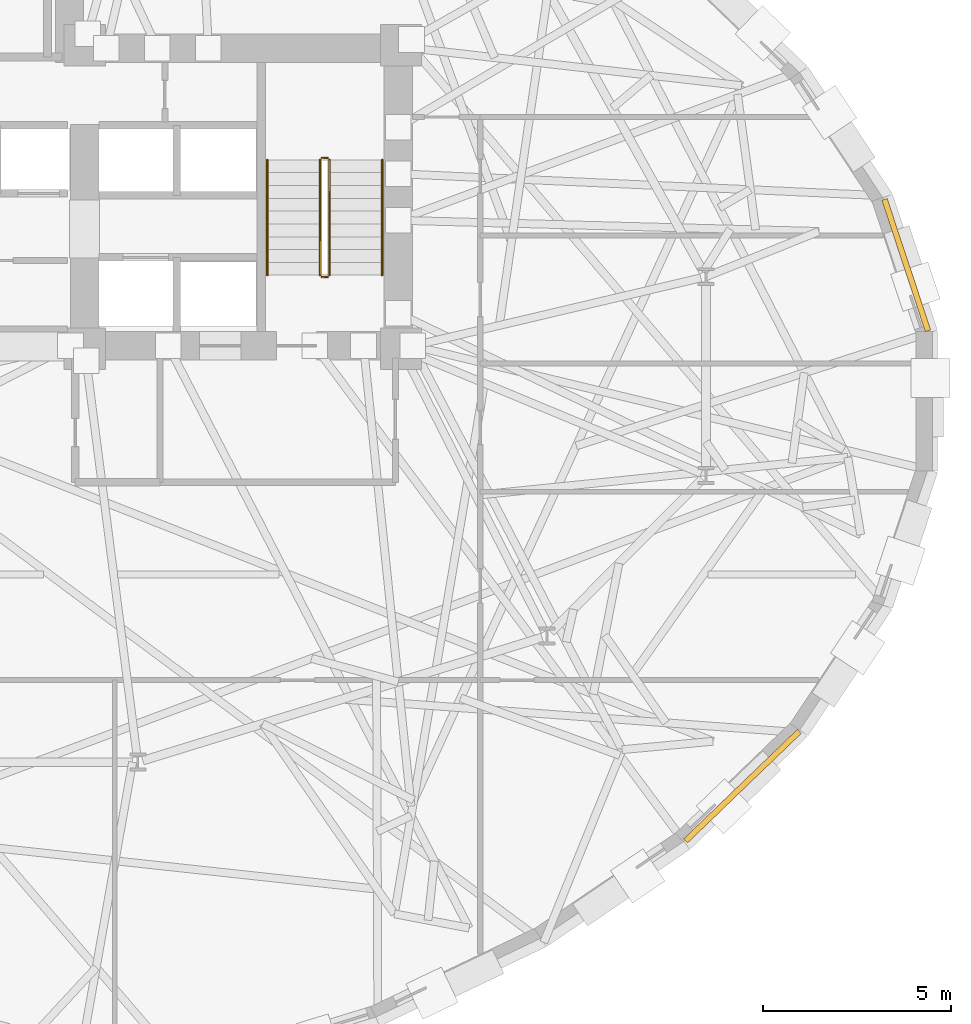
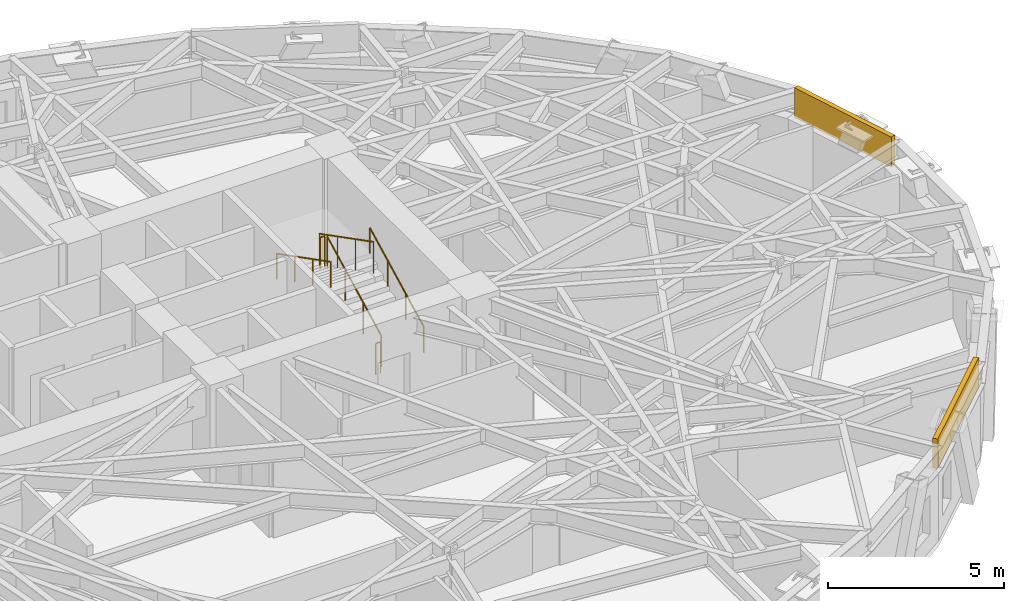
# One storey, part 13 of 14: 6 railings, 2 coverings.
"""IFC4 building model written with IfcOpenShell, lengths in metres."""

from ifc_helpers import new_model, si_unit, direction, frame, origin, origin_2d, place, context, subcontext, project, spatial, rectangle, circle, extrude, material, layer, layer_set, type_object, element, save


model = new_model("IFC4")

# Units and contexts
model_context = context("Model", 3, precision=1e-05, world=origin(), true_north=direction((0.0, 1.0)))
body_context = subcontext(model_context, "Body", "Model", "MODEL_VIEW")
ifc_project = project(units=[si_unit("LENGTHUNIT", "METRE"), si_unit("AREAUNIT", "SQUARE_METRE"), si_unit("VOLUMEUNIT", "CUBIC_METRE"), si_unit("PLANEANGLEUNIT", "RADIAN"), si_unit("MASSUNIT", "GRAM", prefix="KILO")], contexts=[model_context])

# Site, building, storey
site_placement = place(None, origin())
site = spatial("IfcSite", under=ifc_project, at=site_placement, CompositionType="ELEMENT")
building_placement = place(site_placement, origin())
building = spatial("IfcBuilding", under=site, at=building_placement, Name="Keldmark Tower", CompositionType="ELEMENT")
storey_placement = place(building_placement, frame((0.0, 0.0, 107.10009765625)))
storey = spatial("IfcBuildingStorey", under=building, at=storey_placement, Name="L28", CompositionType="ELEMENT", Elevation=107.10009765625)

# Coverings
ifc_material_1 = material(Name="Honed Kasota Buff Dolomitic Limestone", Category="masonry")
ifc_layer = layer(ifc_material_1, 0.074951171875)
ifc_layer_set = layer_set([ifc_layer], Name="Honed Kasota Buff Dolomitic Limestone")
covering_type = type_object("IfcCoveringType", Name="Kasota Buff Limestone Spandrel Cladding Band", PredefinedType="CLADDING", material=ifc_layer_set)
covering_1_placement = place(storey_placement, frame((27.0146484375, 3.617919921875, 2.45166015625), z_axis=(0.0, 0.0, 1.0), x_axis=(-0.314290711278, 0.949326787152, 0.0)))
element("IfcCovering", 1, at=covering_1_placement, inside=storey, type_object=covering_type, Name="L28 Kasota Limestone Spandrel Band 01", PredefinedType="CLADDING", context=body_context, shape_type="SweptSolid", body=[
    extrude(rectangle(XDim=3.67578125, YDim=0.14990234375, at=origin_2d()), origin(), (0.0, 0.0, 1.0), 1.028076171875),
])
covering_2_placement = place(storey_placement, frame((22.6650390625, -10.21630859375, 2.45166015625), z_axis=(0.0, 0.0, 1.0), x_axis=(0.720587417127, 0.693364099357, 0.0)))
element("IfcCovering", 2, at=covering_2_placement, inside=storey, type_object=covering_type, Name="L28 Kasota Limestone Spandrel Band 29", PredefinedType="CLADDING", context=body_context, shape_type="SweptSolid", body=[
    extrude(rectangle(XDim=4.186767578125, YDim=0.14990234375, at=origin_2d()), origin(), (0.0, 0.0, 1.0), 1.028076171875),
])

# Railings
ifc_material_2 = material(Name="Painted Steel ASTM A500 Grade B", Category="steel")
railing_type_1 = type_object("IfcRailingType", Name="Painted Steel Stair Well Guard 1100 mm", PredefinedType="GUARDRAIL", material=ifc_material_2)
railing_1_placement = place(storey_placement, frame((11.699951171875, 3.35009765625, 0.1748046875)))
element("IfcRailing", 3, at=railing_1_placement, inside=storey, type_object=railing_type_1, Name="L28 ST2 stair guard 1", PredefinedType="GUARDRAIL", context=body_context, shape_type="SweptSolid", body=[
    extrude(circle(Radius=0.02392578125, at=origin_2d()), frame((0.0, 0.0, 1.076171875), z_axis=(0.0, 0.889101422983, 0.457710235465), x_axis=(-1.0, 0.0, 0.0)), (0.0, 0.0, 1.0), 3.44140625),
    extrude(circle(Radius=0.02099609375, at=origin_2d()), origin(), (0.0, 0.0, 1.0), 1.052001953125),
    extrude(circle(Radius=0.02099609375, at=origin_2d()), frame((0.0, 1.02001953125, 0.525146484375)), (0.0, 0.0, 1.0), 1.052001953125),
    extrude(circle(Radius=0.02099609375, at=origin_2d()), frame((0.0, 2.039794921875, 1.050048828125)), (0.0, 0.0, 1.0), 1.052001953125),
    extrude(circle(Radius=0.02099609375, at=origin_2d()), frame((0.0, 3.059814453125, 1.5751953125)), (0.0, 0.0, 1.0), 1.052001953125),
])
railing_2_placement = place(storey_placement, frame((11.64990234375, 6.4599609375, 1.75)))
element("IfcRailing", 4, at=railing_2_placement, inside=storey, type_object=railing_type_1, Name="L28 ST2 stair guard 2", PredefinedType="GUARDRAIL", context=body_context, shape_type="SweptSolid", body=[
    extrude(circle(Radius=0.02392578125, at=origin_2d()), frame((0.0, 0.0, 1.076171875), z_axis=(-1.0, 0.0, 0.0), x_axis=(0.0, -1.0, 0.0)), (0.0, 0.0, 1.0), 0.14990234375),
    extrude(circle(Radius=0.02099609375, at=origin_2d()), origin(), (0.0, 0.0, 1.0), 1.052001953125),
    extrude(circle(Radius=0.02099609375, at=origin_2d()), frame((-0.14990234375, 0.0, 0.0)), (0.0, 0.0, 1.0), 1.052001953125),
])
railing_3_placement = place(storey_placement, frame((11.449951171875, 6.409912109375, 1.9248046875)))
element("IfcRailing", 5, at=railing_3_placement, inside=storey, type_object=railing_type_1, Name="L28 ST2 stair guard 3", PredefinedType="GUARDRAIL", context=body_context, shape_type="SweptSolid", body=[
    extrude(circle(Radius=0.02392578125, at=origin_2d()), frame((0.0, 0.0, 1.076171875), z_axis=(0.0, -0.889101422983, 0.457710235465), x_axis=(1.0, 0.0, 0.0)), (0.0, 0.0, 1.0), 3.44140625),
    extrude(circle(Radius=0.02099609375, at=origin_2d()), origin(), (0.0, 0.0, 1.0), 1.052001953125),
    extrude(circle(Radius=0.02099609375, at=origin_2d()), frame((0.0, -1.02001953125, 0.525146484375)), (0.0, 0.0, 1.0), 1.052001953125),
    extrude(circle(Radius=0.02099609375, at=origin_2d()), frame((0.0, -2.039794921875, 1.050048828125)), (0.0, 0.0, 1.0), 1.052001953125),
    extrude(circle(Radius=0.02099609375, at=origin_2d()), frame((0.0, -3.059814453125, 1.5751953125)), (0.0, 0.0, 1.0), 1.052001953125),
])
railing_4_placement = place(storey_placement, frame((11.64990234375, 3.300048828125, 0.0)))
element("IfcRailing", 6, at=railing_4_placement, inside=storey, type_object=railing_type_1, Name="L28 ST2 stair guard 4", PredefinedType="GUARDRAIL", context=body_context, shape_type="SweptSolid", body=[
    extrude(circle(Radius=0.02392578125, at=origin_2d()), frame((0.0, 0.0, 1.076171875), z_axis=(-1.0, 0.0, 0.0), x_axis=(0.0, -1.0, 0.0)), (0.0, 0.0, 1.0), 0.14990234375),
    extrude(circle(Radius=0.02099609375, at=origin_2d()), origin(), (0.0, 0.0, 1.0), 1.052001953125),
    extrude(circle(Radius=0.02099609375, at=origin_2d()), frame((-0.14990234375, 0.0, 0.0)), (0.0, 0.0, 1.0), 1.052001953125),
])
ifc_material_3 = material(Name="Stainless Steel AISI 316L", Category="steel")
railing_type_2 = type_object("IfcRailingType", Name="Stainless Steel Stair Handrail 900 mm", PredefinedType="HANDRAIL", material=ifc_material_3)
railing_5_placement = place(storey_placement, frame((13.10009765625, 3.35009765625, 0.1748046875)))
element("IfcRailing", 7, at=railing_5_placement, inside=storey, type_object=railing_type_2, Name="L28 ST2 stair handrail 1", PredefinedType="HANDRAIL", context=body_context, shape_type="SweptSolid", body=[
    extrude(circle(Radius=0.02392578125, at=origin_2d()), frame((0.0, 0.0, 0.8759765625), z_axis=(0.0, 0.889101422983, 0.457710235465), x_axis=(-1.0, 0.0, 0.0)), (0.0, 0.0, 1.0), 3.44140625),
    extrude(circle(Radius=0.02099609375, at=origin_2d()), origin(), (0.0, 0.0, 1.0), 0.851806640625),
    extrude(circle(Radius=0.02099609375, at=origin_2d()), frame((0.0, 1.02001953125, 0.525146484375)), (0.0, 0.0, 1.0), 0.851806640625),
    extrude(circle(Radius=0.02099609375, at=origin_2d()), frame((0.0, 2.039794921875, 1.050048828125)), (0.0, 0.0, 1.0), 0.851806640625),
    extrude(circle(Radius=0.02099609375, at=origin_2d()), frame((0.0, 3.059814453125, 1.5751953125)), (0.0, 0.0, 1.0), 0.851806640625),
])
railing_6_placement = place(storey_placement, frame((10.050048828125, 6.409912109375, 1.9248046875)))
element("IfcRailing", 8, at=railing_6_placement, inside=storey, type_object=railing_type_2, Name="L28 ST2 stair handrail 2", PredefinedType="HANDRAIL", context=body_context, shape_type="SweptSolid", body=[
    extrude(circle(Radius=0.02392578125, at=origin_2d()), frame((0.0, 0.0, 0.8759765625), z_axis=(0.0, -0.889101422983, 0.457710235465), x_axis=(1.0, 0.0, 0.0)), (0.0, 0.0, 1.0), 3.44140625),
    extrude(circle(Radius=0.02099609375, at=origin_2d()), origin(), (0.0, 0.0, 1.0), 0.851806640625),
    extrude(circle(Radius=0.02099609375, at=origin_2d()), frame((0.0, -1.02001953125, 0.525146484375)), (0.0, 0.0, 1.0), 0.851806640625),
    extrude(circle(Radius=0.02099609375, at=origin_2d()), frame((0.0, -2.039794921875, 1.050048828125)), (0.0, 0.0, 1.0), 0.851806640625),
    extrude(circle(Radius=0.02099609375, at=origin_2d()), frame((0.0, -3.059814453125, 1.5751953125)), (0.0, 0.0, 1.0), 0.851806640625),
])

save(model, "model.ifc")
